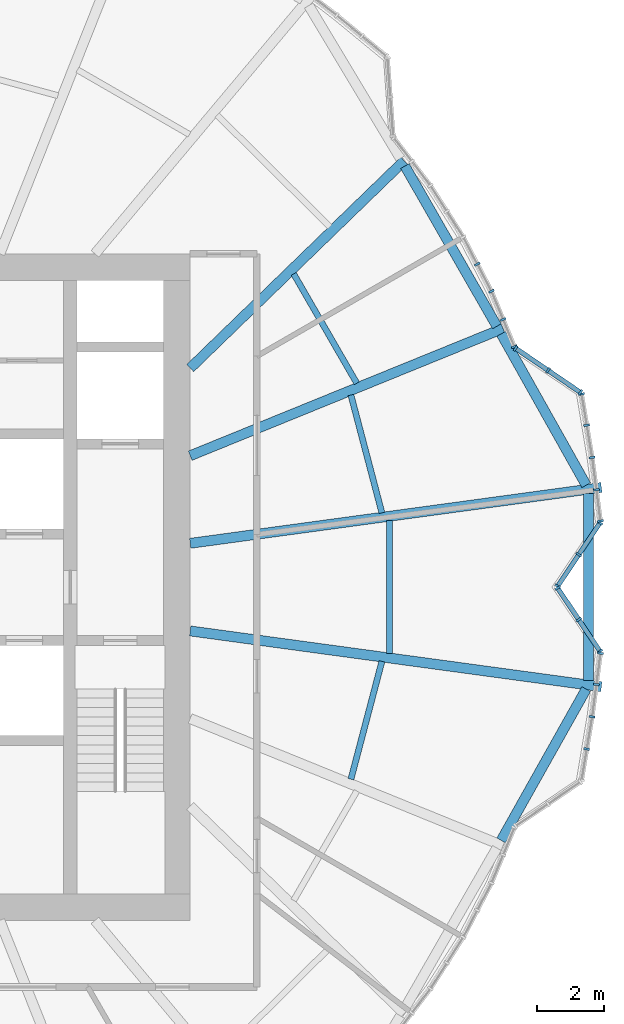
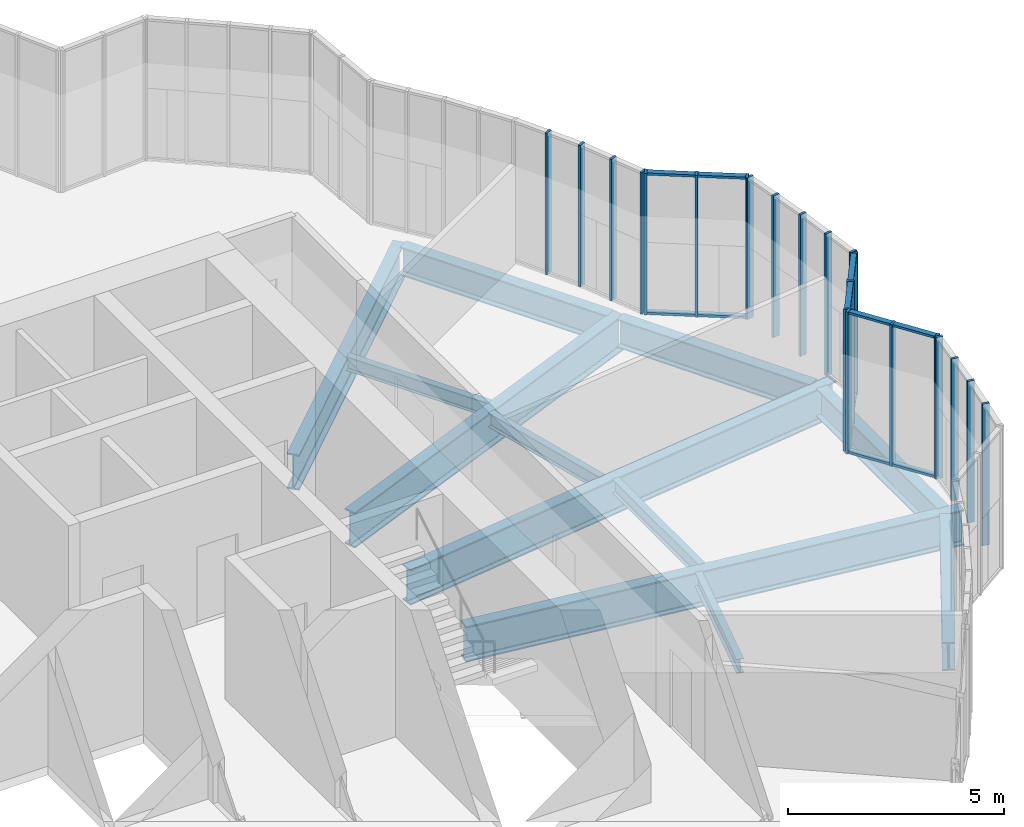
# One storey, part 5 of 22: 34 members, 12 beams, 9 elements without a shape of their own.
"""IFC4 building model written with IfcOpenShell, lengths in metres."""

from ifc_helpers import new_model, si_unit, direction, frame, origin, origin_2d, place, context, subcontext, project, spatial, rectangle, i_section, extrude, material, material_profile, profile_set, type_object, element, aggregate, save


model = new_model("IFC4")

# Units and contexts
model_context = context("Model", 3, precision=1e-05, world=origin(), true_north=direction((0.0, 1.0)))
body_context = subcontext(model_context, "Body", "Model", "MODEL_VIEW")
ifc_project = project(units=[si_unit("LENGTHUNIT", "METRE"), si_unit("AREAUNIT", "SQUARE_METRE"), si_unit("VOLUMEUNIT", "CUBIC_METRE"), si_unit("PLANEANGLEUNIT", "RADIAN"), si_unit("MASSUNIT", "GRAM", prefix="KILO")], contexts=[model_context])

# Site, building, storey
site_placement = place(None, origin())
site = spatial("IfcSite", under=ifc_project, at=site_placement, CompositionType="ELEMENT")
building_placement = place(site_placement, origin())
building = spatial("IfcBuilding", under=site, at=building_placement, Name="Golbaran Civic Tower", CompositionType="ELEMENT")
storey_placement = place(building_placement, frame((0.0, 0.0, 29.0)))
storey = spatial("IfcBuildingStorey", under=building, at=storey_placement, Name="L06", CompositionType="ELEMENT", Elevation=29.0)

# Beams
ifc_material_1 = material(Name="Steel S355", Category="steel")
ifc_material_profile_1 = material_profile(ifc_material_1, i_section(OverallWidth=0.300048828125, OverallDepth=0.800048828125, WebThickness=0.017578125, FlangeThickness=0.032958984375, FilletRadius=0.030029296875, at=origin_2d()), Name="HEB 800")
ifc_profile_set_1 = profile_set([ifc_material_profile_1], Name="Steel S355")
beam_type_1 = type_object("IfcBeamType", Name="EDGE BEAM HEB 800", PredefinedType="BEAM", material=ifc_profile_set_1)
beam_1_placement = place(storey_placement, frame((21.88134765625, 3.05908203125, -0.60009765625), z_axis=(-0.489697979016, 0.871892131715, 0.0), x_axis=(-0.871892131715, -0.489697979016, 0.0)))
element("IfcBeam", 1, at=beam_1_placement, inside=storey, type_object=beam_type_1, Name="Edge beam 7.63 L06", PredefinedType="BEAM", context=body_context, shape_type="SweptSolid", body=[
    extrude(i_section(OverallWidth=0.300048828125, OverallDepth=0.800048828125, WebThickness=0.017578125, FlangeThickness=0.032958984375, FilletRadius=0.030029296875, at=origin_2d()), origin(), (0.0, 0.0, 1.0), 5.207275390625),
])
beam_2_placement = place(storey_placement, frame((19.20166015625, 7.827392578125, -0.60009765625), z_axis=(-0.497888378449, 0.867241121376, 0.0), x_axis=(-0.867241121376, -0.497888378449, 0.0)))
element("IfcBeam", 2, at=beam_2_placement, inside=storey, type_object=beam_type_1, Name="Edge beam 21.83 L06", PredefinedType="BEAM", context=body_context, shape_type="SweptSolid", body=[
    extrude(i_section(OverallWidth=0.300048828125, OverallDepth=0.800048828125, WebThickness=0.017578125, FlangeThickness=0.032958984375, FilletRadius=0.030029296875, at=origin_2d()), origin(), (0.0, 0.0, 1.0), 5.54248046875),
])
beam_3_placement = place(storey_placement, frame((19.331298828125, -7.599365234375, -0.60009765625), z_axis=(0.489697979016, 0.871892131715, 0.0), x_axis=(-0.871892131715, 0.489697979016, 0.0)))
element("IfcBeam", 3, at=beam_3_placement, inside=storey, type_object=beam_type_1, Name="Edge beam 338.17 L06", PredefinedType="BEAM", context=body_context, shape_type="SweptSolid", body=[
    extrude(i_section(OverallWidth=0.300048828125, OverallDepth=0.800048828125, WebThickness=0.017578125, FlangeThickness=0.032958984375, FilletRadius=0.030029296875, at=origin_2d()), origin(), (0.0, 0.0, 1.0), 5.207275390625),
])
beam_4_placement = place(storey_placement, frame((21.94970703125, -2.805908203125, -0.60009765625), z_axis=(0.0, 1.0, 0.0), x_axis=(-1.0, 0.0, 0.0)))
element("IfcBeam", 4, at=beam_4_placement, inside=storey, type_object=beam_type_1, Name="Edge beam 352.37 L06", PredefinedType="BEAM", context=body_context, shape_type="SweptSolid", body=[
    extrude(i_section(OverallWidth=0.300048828125, OverallDepth=0.800048828125, WebThickness=0.017578125, FlangeThickness=0.032958984375, FilletRadius=0.030029296875, at=origin_2d()), origin(), (0.0, 0.0, 1.0), 5.61181640625),
])
ifc_material_profile_2 = material_profile(ifc_material_1, i_section(OverallWidth=0.179931640625, OverallDepth=0.39990234375, WebThickness=0.008544921875, FlangeThickness=0.013427734375, FilletRadius=0.02099609375, at=origin_2d()), Name="IPE 400")
ifc_profile_set_2 = profile_set([ifc_material_profile_2], Name="Steel S355")
beam_type_2 = type_object("IfcBeamType", Name="FLOOR INFILL BEAM IPE 400", PredefinedType="BEAM", material=ifc_profile_set_2)
beam_5_placement = place(storey_placement, frame((15.75244140625, 2.2265625, -0.39990234375), z_axis=(-0.254263347535, 0.967135021649, 0.0), x_axis=(-0.967135021649, -0.254263347535, 0.0)))
element("IfcBeam", 5, at=beam_5_placement, inside=storey, type_object=beam_type_2, Name="Infill beam 14.73 L06", PredefinedType="BEAM", context=body_context, shape_type="SweptSolid", body=[
    extrude(i_section(OverallWidth=0.179931640625, OverallDepth=0.39990234375, WebThickness=0.008544921875, FlangeThickness=0.013427734375, FilletRadius=0.02099609375, at=origin_2d()), origin(), (0.0, 0.0, 1.0), 3.658203125),
])
beam_6_placement = place(storey_placement, frame((14.9990234375, 6.117431640625, -0.39990234375), z_axis=(-0.499964129797, 0.866046112465, 0.0), x_axis=(-0.866046112465, -0.499964129797, 0.0)))
element("IfcBeam", 6, at=beam_6_placement, inside=storey, type_object=beam_type_2, Name="Infill beam 30.00 L06", PredefinedType="BEAM", context=body_context, shape_type="SweptSolid", body=[
    extrude(i_section(OverallWidth=0.179931640625, OverallDepth=0.39990234375, WebThickness=0.008544921875, FlangeThickness=0.013427734375, FilletRadius=0.02099609375, at=origin_2d()), origin(), (0.0, 0.0, 1.0), 3.789306640625),
])
beam_7_placement = place(storey_placement, frame((14.822265625, -5.7646484375, -0.39990234375), z_axis=(0.254263347535, 0.967135021649, 0.0), x_axis=(-0.967135021649, 0.254263347535, 0.0)))
element("IfcBeam", 7, at=beam_7_placement, inside=storey, type_object=beam_type_2, Name="Infill beam 345.27 L06", PredefinedType="BEAM", context=body_context, shape_type="SweptSolid", body=[
    extrude(i_section(OverallWidth=0.179931640625, OverallDepth=0.39990234375, WebThickness=0.008544921875, FlangeThickness=0.013427734375, FilletRadius=0.02099609375, at=origin_2d()), origin(), (0.0, 0.0, 1.0), 3.658203125),
])
beam_8_placement = place(storey_placement, frame((15.974853515625, -1.99462890625, -0.39990234375), z_axis=(0.0, 1.0, 0.0), x_axis=(-1.0, 0.0, 0.0)))
element("IfcBeam", 8, at=beam_8_placement, inside=storey, type_object=beam_type_2, Name="Infill beam 0.00 L06", PredefinedType="BEAM", context=body_context, shape_type="SweptSolid", body=[
    extrude(i_section(OverallWidth=0.179931640625, OverallDepth=0.39990234375, WebThickness=0.008544921875, FlangeThickness=0.013427734375, FilletRadius=0.02099609375, at=origin_2d()), origin(), (0.0, 0.0, 1.0), 3.9892578125),
])

# Curtain wall, members
ifc_material_2 = material(Name="Aluminium and glass", Category="aluminium")
curtain_wall_type = type_object("IfcCurtainWallType", Name="INNER SKIN CURTAIN WALL", PredefinedType="NOTDEFINED", material=ifc_material_2)
curtain_wall_1_placement = place(storey_placement, origin())
curtain_wall_1 = element("IfcCurtainWall", 9, at=curtain_wall_1_placement, inside=storey, type_object=curtain_wall_type, Name="Inner skin L06 facet 1 CW1", ObjectType="INNER SKIN", PredefinedType="USERDEFINED")
ifc_material_3 = material(Name="Aluminium", Category="aluminium")
ifc_material_profile_3 = material_profile(ifc_material_3, rectangle(XDim=0.179931640625, YDim=0.06494140625, at=origin_2d()), Name="INNER SKIN CURTAIN WALL MULLION")
ifc_profile_set_3 = profile_set([ifc_material_profile_3], Name="Aluminium")
member_type_1 = type_object("IfcMemberType", Name="INNER SKIN CURTAIN WALL MULLION", PredefinedType="MULLION", material=ifc_profile_set_3)
member_1_placement = place(storey_placement, frame((21.023193359375, 0.027099609375, 0.0), z_axis=(0.0, 0.0, 1.0), x_axis=(-0.830799054257, 0.556572485348, 0.0)))
member_1 = element("IfcMember", 10, at=member_1_placement, type_object=member_type_1, Name="CW1 mullion 1", PredefinedType="MULLION", context=body_context, shape_type="SweptSolid", body=[
    extrude(rectangle(XDim=0.179931640625, YDim=0.06494140625, at=origin_2d()), origin(), (0.0, 0.0, 1.0), 4.0),
])
member_2_placement = place(storey_placement, frame((21.658935546875, 0.97607421875, 0.0), z_axis=(0.0, 0.0, 1.0), x_axis=(-0.830799054257, 0.556572485348, 0.0)))
member_2 = element("IfcMember", 11, at=member_2_placement, type_object=member_type_1, Name="CW1 mullion 2", PredefinedType="MULLION", context=body_context, shape_type="SweptSolid", body=[
    extrude(rectangle(XDim=0.179931640625, YDim=0.06494140625, at=origin_2d()), origin(), (0.0, 0.0, 1.0), 4.0),
])
member_3_placement = place(storey_placement, frame((22.294677734375, 1.925048828125, 0.0), z_axis=(0.0, 0.0, 1.0), x_axis=(-0.830799054257, 0.556572485348, 0.0)))
member_3 = element("IfcMember", 12, at=member_3_placement, type_object=member_type_1, Name="CW1 mullion 3", PredefinedType="MULLION", context=body_context, shape_type="SweptSolid", body=[
    extrude(rectangle(XDim=0.179931640625, YDim=0.06494140625, at=origin_2d()), origin(), (0.0, 0.0, 1.0), 4.0),
])

curtain_wall_2_placement = place(storey_placement, origin())
curtain_wall_2 = element("IfcCurtainWall", 13, at=curtain_wall_2_placement, inside=storey, type_object=curtain_wall_type, Name="Inner skin L06 facet 2 CW1", ObjectType="INNER SKIN", PredefinedType="USERDEFINED")
member_4_placement = place(storey_placement, frame((22.30859375, 1.984375, 0.0), z_axis=(0.0, 0.0, 1.0), x_axis=(-0.991444861365, -0.130526192289, 0.0)))
member_4 = element("IfcMember", 14, at=member_4_placement, type_object=member_type_1, Name="CW1 mullion 1", PredefinedType="MULLION", context=body_context, shape_type="SweptSolid", body=[
    extrude(rectangle(XDim=0.179931640625, YDim=0.06494140625, at=origin_2d()), origin(), (0.0, 0.0, 1.0), 4.0),
])
member_5_placement = place(storey_placement, frame((22.185302734375, 2.920654296875, 0.0), z_axis=(0.0, 0.0, 1.0), x_axis=(-0.991444861365, -0.130526192289, 0.0)))
member_5 = element("IfcMember", 15, at=member_5_placement, type_object=member_type_1, Name="CW1 mullion 2", PredefinedType="MULLION", context=body_context, shape_type="SweptSolid", body=[
    extrude(rectangle(XDim=0.179931640625, YDim=0.06494140625, at=origin_2d()), origin(), (0.0, 0.0, 1.0), 4.0),
])
member_6_placement = place(storey_placement, frame((22.0576171875, 3.889404296875, 0.0), z_axis=(0.0, 0.0, 1.0), x_axis=(-0.989063220534, -0.147492188903, 0.0)))
member_6 = element("IfcMember", 16, at=member_6_placement, type_object=member_type_1, Name="CW1 mullion 3", PredefinedType="MULLION", context=body_context, shape_type="SweptSolid", body=[
    extrude(rectangle(XDim=0.179931640625, YDim=0.06494140625, at=origin_2d()), origin(), (0.0, 0.0, 1.0), 4.0),
])
aggregate(curtain_wall_2, [member_4, member_5, member_6])

curtain_wall_3_placement = place(storey_placement, origin())
curtain_wall_3 = element("IfcCurtainWall", 17, at=curtain_wall_3_placement, inside=storey, type_object=curtain_wall_type, Name="Inner skin L06 facet 3 CW1", ObjectType="INNER SKIN", PredefinedType="USERDEFINED")
member_7_placement = place(storey_placement, frame((21.896484375, 4.856689453125, 0.0), z_axis=(0.0, 0.0, 1.0), x_axis=(-0.986391272574, -0.164414894066, 0.0)))
member_7 = element("IfcMember", 18, at=member_7_placement, type_object=member_type_1, Name="CW1 mullion 2", PredefinedType="MULLION", context=body_context, shape_type="SweptSolid", body=[
    extrude(rectangle(XDim=0.179931640625, YDim=0.06494140625, at=origin_2d()), origin(), (0.0, 0.0, 1.0), 4.0),
])
member_8_placement = place(storey_placement, frame((21.74072265625, 5.7919921875, 0.0), z_axis=(0.0, 0.0, 1.0), x_axis=(-0.986391272574, -0.164414894066, 0.0)))
member_8 = element("IfcMember", 19, at=member_8_placement, type_object=member_type_1, Name="CW1 mullion 3", PredefinedType="MULLION", context=body_context, shape_type="SweptSolid", body=[
    extrude(rectangle(XDim=0.179931640625, YDim=0.06494140625, at=origin_2d()), origin(), (0.0, 0.0, 1.0), 4.0),
])
aggregate(curtain_wall_3, [member_7, member_8])

curtain_wall_4_placement = place(storey_placement, origin())
curtain_wall_4 = element("IfcCurtainWall", 20, at=curtain_wall_4_placement, inside=storey, type_object=curtain_wall_type, Name="Inner skin L06 facet 4 CW1", ObjectType="INNER SKIN", PredefinedType="USERDEFINED")
member_9_placement = place(storey_placement, frame((21.70849609375, 5.84228515625, 0.0), z_axis=(0.0, 0.0, 1.0), x_axis=(-0.562936359185, -0.826500245316, 0.0)))
member_9 = element("IfcMember", 21, at=member_9_placement, type_object=member_type_1, Name="CW1 mullion 1", PredefinedType="MULLION", context=body_context, shape_type="SweptSolid", body=[
    extrude(rectangle(XDim=0.179931640625, YDim=0.06494140625, at=origin_2d()), origin(), (0.0, 0.0, 1.0), 4.0),
])
member_10_placement = place(storey_placement, frame((20.73681640625, 6.504150390625, 0.0), z_axis=(0.0, 0.0, 1.0), x_axis=(-0.562936359185, -0.826500245316, 0.0)))
member_10 = element("IfcMember", 22, at=member_10_placement, type_object=member_type_1, Name="CW1 mullion 2", PredefinedType="MULLION", context=body_context, shape_type="SweptSolid", body=[
    extrude(rectangle(XDim=0.179931640625, YDim=0.06494140625, at=origin_2d()), origin(), (0.0, 0.0, 1.0), 4.0),
])
member_11_placement = place(storey_placement, frame((19.76513671875, 7.165771484375, 0.0), z_axis=(0.0, 0.0, 1.0), x_axis=(-0.562936359185, -0.826500245316, 0.0)))
member_11 = element("IfcMember", 23, at=member_11_placement, type_object=member_type_1, Name="CW1 mullion 3", PredefinedType="MULLION", context=body_context, shape_type="SweptSolid", body=[
    extrude(rectangle(XDim=0.179931640625, YDim=0.06494140625, at=origin_2d()), origin(), (0.0, 0.0, 1.0), 4.0),
])

curtain_wall_5_placement = place(storey_placement, origin())
curtain_wall_5 = element("IfcCurtainWall", 24, at=curtain_wall_5_placement, inside=storey, type_object=curtain_wall_type, Name="Inner skin L06 facet 5 CW1", ObjectType="INNER SKIN", PredefinedType="USERDEFINED")
member_12_placement = place(storey_placement, frame((19.725830078125, 7.214111328125, 0.0), z_axis=(0.0, 0.0, 1.0), x_axis=(-0.923879532471, -0.382683432462, 0.0)))
member_12 = element("IfcMember", 25, at=member_12_placement, type_object=member_type_1, Name="CW1 mullion 1", PredefinedType="MULLION", context=body_context, shape_type="SweptSolid", body=[
    extrude(rectangle(XDim=0.179931640625, YDim=0.06494140625, at=origin_2d()), origin(), (0.0, 0.0, 1.0), 4.0),
])
member_13_placement = place(storey_placement, frame((19.3876953125, 8.030517578125, 0.0), z_axis=(0.0, 0.0, 1.0), x_axis=(-0.923879532471, -0.382683432462, 0.0)))
member_13 = element("IfcMember", 26, at=member_13_placement, type_object=member_type_1, Name="CW1 mullion 2", PredefinedType="MULLION", context=body_context, shape_type="SweptSolid", body=[
    extrude(rectangle(XDim=0.179931640625, YDim=0.06494140625, at=origin_2d()), origin(), (0.0, 0.0, 1.0), 4.0),
])
member_14_placement = place(storey_placement, frame((19.037109375, 8.877197265625, 0.0), z_axis=(0.0, 0.0, 1.0), x_axis=(-0.906307786978, -0.422618261867, 0.0)))
member_14 = element("IfcMember", 27, at=member_14_placement, type_object=member_type_1, Name="CW1 mullion 3", PredefinedType="MULLION", context=body_context, shape_type="SweptSolid", body=[
    extrude(rectangle(XDim=0.179931640625, YDim=0.06494140625, at=origin_2d()), origin(), (0.0, 0.0, 1.0), 4.0),
])
aggregate(curtain_wall_5, [member_12, member_13, member_14])

# Curtain wall, member
curtain_wall_6_placement = place(storey_placement, origin())
curtain_wall_6 = element("IfcCurtainWall", 28, at=curtain_wall_6_placement, inside=storey, type_object=curtain_wall_type, Name="Inner skin L06 facet 6 CW1", ObjectType="INNER SKIN", PredefinedType="USERDEFINED")
member_15_placement = place(storey_placement, frame((18.614013671875, 9.689697265625, 0.0), z_axis=(0.0, 0.0, 1.0), x_axis=(-0.887010832985, -0.461748613607, 0.0)))
member_15 = element("IfcMember", 29, at=member_15_placement, type_object=member_type_1, Name="CW1 mullion 2", PredefinedType="MULLION", context=body_context, shape_type="SweptSolid", body=[
    extrude(rectangle(XDim=0.179931640625, YDim=0.06494140625, at=origin_2d()), origin(), (0.0, 0.0, 1.0), 4.0),
])
aggregate(curtain_wall_6, [member_15])

# Curtain wall, members
curtain_wall_7_placement = place(storey_placement, origin())
curtain_wall_7 = element("IfcCurtainWall", 30, at=curtain_wall_7_placement, inside=storey, type_object=curtain_wall_type, Name="Inner skin L06 facet 70 CW1", ObjectType="INNER SKIN", PredefinedType="USERDEFINED")
member_16_placement = place(storey_placement, frame((21.896484375, -4.856689453125, 0.0), z_axis=(0.0, 0.0, 1.0), x_axis=(-0.986391272574, 0.164414894066, 0.0)))
member_16 = element("IfcMember", 31, at=member_16_placement, type_object=member_type_1, Name="CW1 mullion 2", PredefinedType="MULLION", context=body_context, shape_type="SweptSolid", body=[
    extrude(rectangle(XDim=0.179931640625, YDim=0.06494140625, at=origin_2d()), origin(), (0.0, 0.0, 1.0), 4.0),
])
member_17_placement = place(storey_placement, frame((22.0576171875, -3.889404296875, 0.0), z_axis=(0.0, 0.0, 1.0), x_axis=(-0.989063220534, 0.147492188903, 0.0)))
member_17 = element("IfcMember", 32, at=member_17_placement, type_object=member_type_1, Name="CW1 mullion 3", PredefinedType="MULLION", context=body_context, shape_type="SweptSolid", body=[
    extrude(rectangle(XDim=0.179931640625, YDim=0.06494140625, at=origin_2d()), origin(), (0.0, 0.0, 1.0), 4.0),
])
aggregate(curtain_wall_7, [member_16, member_17])

curtain_wall_8_placement = place(storey_placement, origin())
curtain_wall_8 = element("IfcCurtainWall", 33, at=curtain_wall_8_placement, inside=storey, type_object=curtain_wall_type, Name="Inner skin L06 facet 71 CW1", ObjectType="INNER SKIN", PredefinedType="USERDEFINED")
member_18_placement = place(storey_placement, frame((22.185302734375, -2.920654296875, 0.0), z_axis=(0.0, 0.0, 1.0), x_axis=(-0.991444861365, 0.130526192289, 0.0)))
member_18 = element("IfcMember", 34, at=member_18_placement, type_object=member_type_1, Name="CW1 mullion 2", PredefinedType="MULLION", context=body_context, shape_type="SweptSolid", body=[
    extrude(rectangle(XDim=0.179931640625, YDim=0.06494140625, at=origin_2d()), origin(), (0.0, 0.0, 1.0), 4.0),
])
member_19_placement = place(storey_placement, frame((22.30859375, -1.984375, 0.0), z_axis=(0.0, 0.0, 1.0), x_axis=(-0.991444861365, 0.130526192289, 0.0)))
member_19 = element("IfcMember", 35, at=member_19_placement, type_object=member_type_1, Name="CW1 mullion 3", PredefinedType="MULLION", context=body_context, shape_type="SweptSolid", body=[
    extrude(rectangle(XDim=0.179931640625, YDim=0.06494140625, at=origin_2d()), origin(), (0.0, 0.0, 1.0), 4.0),
])
aggregate(curtain_wall_8, [member_18, member_19])

curtain_wall_9_placement = place(storey_placement, origin())
curtain_wall_9 = element("IfcCurtainWall", 36, at=curtain_wall_9_placement, inside=storey, type_object=curtain_wall_type, Name="Inner skin L06 facet 72 CW1", ObjectType="INNER SKIN", PredefinedType="USERDEFINED")
member_20_placement = place(storey_placement, frame((22.294677734375, -1.925048828125, 0.0), z_axis=(0.0, 0.0, 1.0), x_axis=(-0.830799054257, -0.556572485348, 0.0)))
member_20 = element("IfcMember", 37, at=member_20_placement, type_object=member_type_1, Name="CW1 mullion 1", PredefinedType="MULLION", context=body_context, shape_type="SweptSolid", body=[
    extrude(rectangle(XDim=0.179931640625, YDim=0.06494140625, at=origin_2d()), origin(), (0.0, 0.0, 1.0), 4.0),
])
member_21_placement = place(storey_placement, frame((21.658935546875, -0.97607421875, 0.0), z_axis=(0.0, 0.0, 1.0), x_axis=(-0.830799054257, -0.556572485348, 0.0)))
member_21 = element("IfcMember", 38, at=member_21_placement, type_object=member_type_1, Name="CW1 mullion 2", PredefinedType="MULLION", context=body_context, shape_type="SweptSolid", body=[
    extrude(rectangle(XDim=0.179931640625, YDim=0.06494140625, at=origin_2d()), origin(), (0.0, 0.0, 1.0), 4.0),
])
member_22_placement = place(storey_placement, frame((21.023193359375, -0.027099609375, 0.0), z_axis=(0.0, 0.0, 1.0), x_axis=(-0.830799054257, -0.556572485348, 0.0)))
member_22 = element("IfcMember", 39, at=member_22_placement, type_object=member_type_1, Name="CW1 mullion 3", PredefinedType="MULLION", context=body_context, shape_type="SweptSolid", body=[
    extrude(rectangle(XDim=0.179931640625, YDim=0.06494140625, at=origin_2d()), origin(), (0.0, 0.0, 1.0), 4.0),
])

# Member
ifc_material_profile_4 = material_profile(ifc_material_3, rectangle(XDim=0.139892578125, YDim=0.06494140625, at=origin_2d()), Name="INNER SKIN CURTAIN WALL TRANSOM")
ifc_profile_set_4 = profile_set([ifc_material_profile_4], Name="Aluminium")
member_type_2 = type_object("IfcMemberType", Name="INNER SKIN CURTAIN WALL TRANSOM", PredefinedType="USERDEFINED", material=ifc_profile_set_4)
member_23_placement = place(storey_placement, frame((21.041259765625, 0.053955078125, 0.032470703125), z_axis=(0.556581474765, 0.830793031957, 0.0), x_axis=(-0.830793031957, 0.556581474765, 0.0)))
member_23 = element("IfcMember", 40, at=member_23_placement, type_object=member_type_2, Name="CW1 transom 1.1", ObjectType="TRANSOM", PredefinedType="USERDEFINED", context=body_context, shape_type="SweptSolid", body=[
    extrude(rectangle(XDim=0.139892578125, YDim=0.06494140625, at=origin_2d()), origin(), (0.0, 0.0, 1.0), 1.077392578125),
])

member_24_placement = place(storey_placement, frame((21.041259765625, 0.053955078125, 3.967529296875), z_axis=(0.556581474765, 0.830793031957, 0.0), x_axis=(-0.830793031957, 0.556581474765, 0.0)))
member_24 = element("IfcMember", 41, at=member_24_placement, type_object=member_type_2, Name="CW1 transom 1.2", ObjectType="TRANSOM", PredefinedType="USERDEFINED", context=body_context, shape_type="SweptSolid", body=[
    extrude(rectangle(XDim=0.139892578125, YDim=0.06494140625, at=origin_2d()), origin(), (0.0, 0.0, 1.0), 1.077392578125),
])

member_25_placement = place(storey_placement, frame((21.677001953125, 1.003173828125, 0.032470703125), z_axis=(0.556581474765, 0.830793031957, 0.0), x_axis=(-0.830793031957, 0.556581474765, 0.0)))
member_25 = element("IfcMember", 42, at=member_25_placement, type_object=member_type_2, Name="CW1 transom 2.1", ObjectType="TRANSOM", PredefinedType="USERDEFINED", context=body_context, shape_type="SweptSolid", body=[
    extrude(rectangle(XDim=0.139892578125, YDim=0.06494140625, at=origin_2d()), origin(), (0.0, 0.0, 1.0), 1.077392578125),
])

member_26_placement = place(storey_placement, frame((21.677001953125, 1.003173828125, 3.967529296875), z_axis=(0.556581474765, 0.830793031957, 0.0), x_axis=(-0.830793031957, 0.556581474765, 0.0)))
member_26 = element("IfcMember", 43, at=member_26_placement, type_object=member_type_2, Name="CW1 transom 2.2", ObjectType="TRANSOM", PredefinedType="USERDEFINED", context=body_context, shape_type="SweptSolid", body=[
    extrude(rectangle(XDim=0.139892578125, YDim=0.06494140625, at=origin_2d()), origin(), (0.0, 0.0, 1.0), 1.077392578125),
])

aggregate(curtain_wall_1, [member_1, member_2, member_3, member_23, member_24, member_25, member_26])

member_27_placement = place(storey_placement, frame((21.681640625, 5.860595703125, 0.032470703125), z_axis=(-0.826496976354, 0.562941158628, 0.0), x_axis=(-0.562941158628, -0.826496976354, 0.0)))
member_27 = element("IfcMember", 44, at=member_27_placement, type_object=member_type_2, Name="CW1 transom 1.1", ObjectType="TRANSOM", PredefinedType="USERDEFINED", context=body_context, shape_type="SweptSolid", body=[
    extrude(rectangle(XDim=0.139892578125, YDim=0.06494140625, at=origin_2d()), origin(), (0.0, 0.0, 1.0), 1.110595703125),
])

member_28_placement = place(storey_placement, frame((21.681640625, 5.860595703125, 3.967529296875), z_axis=(-0.826496976354, 0.562941158628, 0.0), x_axis=(-0.562941158628, -0.826496976354, 0.0)))
member_28 = element("IfcMember", 45, at=member_28_placement, type_object=member_type_2, Name="CW1 transom 1.2", ObjectType="TRANSOM", PredefinedType="USERDEFINED", context=body_context, shape_type="SweptSolid", body=[
    extrude(rectangle(XDim=0.139892578125, YDim=0.06494140625, at=origin_2d()), origin(), (0.0, 0.0, 1.0), 1.110595703125),
])

member_29_placement = place(storey_placement, frame((20.7099609375, 6.522216796875, 0.032470703125), z_axis=(-0.826496976354, 0.562941158628, 0.0), x_axis=(-0.562941158628, -0.826496976354, 0.0)))
member_29 = element("IfcMember", 46, at=member_29_placement, type_object=member_type_2, Name="CW1 transom 2.1", ObjectType="TRANSOM", PredefinedType="USERDEFINED", context=body_context, shape_type="SweptSolid", body=[
    extrude(rectangle(XDim=0.139892578125, YDim=0.06494140625, at=origin_2d()), origin(), (0.0, 0.0, 1.0), 1.110595703125),
])

member_30_placement = place(storey_placement, frame((20.7099609375, 6.522216796875, 3.967529296875), z_axis=(-0.826496976354, 0.562941158628, 0.0), x_axis=(-0.562941158628, -0.826496976354, 0.0)))
member_30 = element("IfcMember", 47, at=member_30_placement, type_object=member_type_2, Name="CW1 transom 2.2", ObjectType="TRANSOM", PredefinedType="USERDEFINED", context=body_context, shape_type="SweptSolid", body=[
    extrude(rectangle(XDim=0.139892578125, YDim=0.06494140625, at=origin_2d()), origin(), (0.0, 0.0, 1.0), 1.110595703125),
])

aggregate(curtain_wall_4, [member_9, member_10, member_11, member_27, member_28, member_29, member_30])

member_31_placement = place(storey_placement, frame((22.276611328125, -1.898193359375, 0.032470703125), z_axis=(-0.556581474765, 0.830793031957, 0.0), x_axis=(-0.830793031957, -0.556581474765, 0.0)))
member_31 = element("IfcMember", 48, at=member_31_placement, type_object=member_type_2, Name="CW1 transom 1.1", ObjectType="TRANSOM", PredefinedType="USERDEFINED", context=body_context, shape_type="SweptSolid", body=[
    extrude(rectangle(XDim=0.139892578125, YDim=0.06494140625, at=origin_2d()), origin(), (0.0, 0.0, 1.0), 1.077392578125),
])

member_32_placement = place(storey_placement, frame((22.276611328125, -1.898193359375, 3.967529296875), z_axis=(-0.556581474765, 0.830793031957, 0.0), x_axis=(-0.830793031957, -0.556581474765, 0.0)))
member_32 = element("IfcMember", 49, at=member_32_placement, type_object=member_type_2, Name="CW1 transom 1.2", ObjectType="TRANSOM", PredefinedType="USERDEFINED", context=body_context, shape_type="SweptSolid", body=[
    extrude(rectangle(XDim=0.139892578125, YDim=0.06494140625, at=origin_2d()), origin(), (0.0, 0.0, 1.0), 1.077392578125),
])

member_33_placement = place(storey_placement, frame((21.640869140625, -0.948974609375, 0.032470703125), z_axis=(-0.556581474765, 0.830793031957, 0.0), x_axis=(-0.830793031957, -0.556581474765, 0.0)))
member_33 = element("IfcMember", 50, at=member_33_placement, type_object=member_type_2, Name="CW1 transom 2.1", ObjectType="TRANSOM", PredefinedType="USERDEFINED", context=body_context, shape_type="SweptSolid", body=[
    extrude(rectangle(XDim=0.139892578125, YDim=0.06494140625, at=origin_2d()), origin(), (0.0, 0.0, 1.0), 1.077392578125),
])

member_34_placement = place(storey_placement, frame((21.640869140625, -0.948974609375, 3.967529296875), z_axis=(-0.556581474765, 0.830793031957, 0.0), x_axis=(-0.830793031957, -0.556581474765, 0.0)))
member_34 = element("IfcMember", 51, at=member_34_placement, type_object=member_type_2, Name="CW1 transom 2.2", ObjectType="TRANSOM", PredefinedType="USERDEFINED", context=body_context, shape_type="SweptSolid", body=[
    extrude(rectangle(XDim=0.139892578125, YDim=0.06494140625, at=origin_2d()), origin(), (0.0, 0.0, 1.0), 1.077392578125),
])

aggregate(curtain_wall_9, [member_20, member_21, member_22, member_31, member_32, member_33, member_34])

# Beams
ifc_material_profile_5 = material_profile(ifc_material_1, i_section(OverallWidth=0.300048828125, OverallDepth=1.0, WebThickness=0.01904296875, FlangeThickness=0.035888671875, FilletRadius=0.030029296875, at=origin_2d()), Name="HEB 1000")
ifc_profile_set_5 = profile_set([ifc_material_profile_5], Name="Steel S355")
beam_type_3 = type_object("IfcBeamType", Name="RADIAL FLOOR BEAM HEB 1000", PredefinedType="BEAM", material=ifc_profile_set_5)
beam_9_placement = place(storey_placement, frame((10.0, 1.314208984375, -0.7099609375), z_axis=(0.990903879143, 0.134571550857, 0.0), x_axis=(-0.134571550857, 0.990903879143, 0.0)))
element("IfcBeam", 52, at=beam_9_placement, inside=storey, type_object=beam_type_3, Name="Radial beam 7.63 L06", PredefinedType="BEAM", context=body_context, shape_type="SweptSolid", body=[
    extrude(i_section(OverallWidth=0.300048828125, OverallDepth=1.0, WebThickness=0.01904296875, FlangeThickness=0.035888671875, FilletRadius=0.030029296875, at=origin_2d()), origin(), (0.0, 0.0, 1.0), 12.450927734375),
])
beam_10_placement = place(storey_placement, frame((10.0, 3.94287109375, -0.7099609375), z_axis=(0.926253197378, 0.376901863019, 0.0), x_axis=(-0.376901863019, 0.926253197378, 0.0)))
element("IfcBeam", 53, at=beam_10_placement, inside=storey, type_object=beam_type_3, Name="Radial beam 21.83 L06", PredefinedType="BEAM", context=body_context, shape_type="SweptSolid", body=[
    extrude(i_section(OverallWidth=0.300048828125, OverallDepth=1.0, WebThickness=0.01904296875, FlangeThickness=0.035888671875, FilletRadius=0.030029296875, at=origin_2d()), origin(), (0.0, 0.0, 1.0), 10.130859375),
])
beam_11_placement = place(storey_placement, frame((10.0, 6.571533203125, -0.7099609375), z_axis=(0.718092658056, 0.695947508399, 0.0), x_axis=(-0.695947508399, 0.718092658056, 0.0)))
element("IfcBeam", 54, at=beam_11_placement, inside=storey, type_object=beam_type_3, Name="Radial beam 38.17 L06", PredefinedType="BEAM", context=body_context, shape_type="SweptSolid", body=[
    extrude(i_section(OverallWidth=0.300048828125, OverallDepth=1.0, WebThickness=0.01904296875, FlangeThickness=0.035888671875, FilletRadius=0.030029296875, at=origin_2d()), origin(), (0.0, 0.0, 1.0), 8.94091796875),
])
beam_12_placement = place(storey_placement, frame((10.0, -1.314208984375, -0.7099609375), z_axis=(0.990903879143, -0.134571550857, 0.0), x_axis=(0.134571550857, 0.990903879143, 0.0)))
element("IfcBeam", 55, at=beam_12_placement, inside=storey, type_object=beam_type_3, Name="Radial beam 352.37 L06", PredefinedType="BEAM", context=body_context, shape_type="SweptSolid", body=[
    extrude(i_section(OverallWidth=0.300048828125, OverallDepth=1.0, WebThickness=0.01904296875, FlangeThickness=0.035888671875, FilletRadius=0.030029296875, at=origin_2d()), origin(), (0.0, 0.0, 1.0), 12.450927734375),
])

save(model, "model.ifc")
